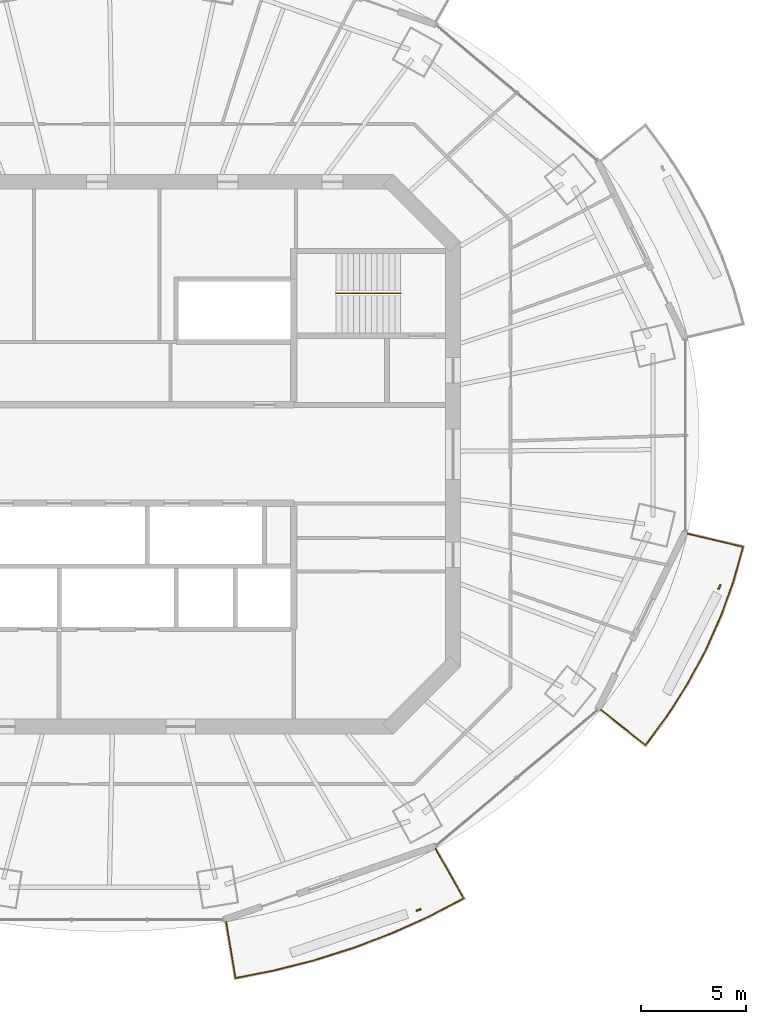
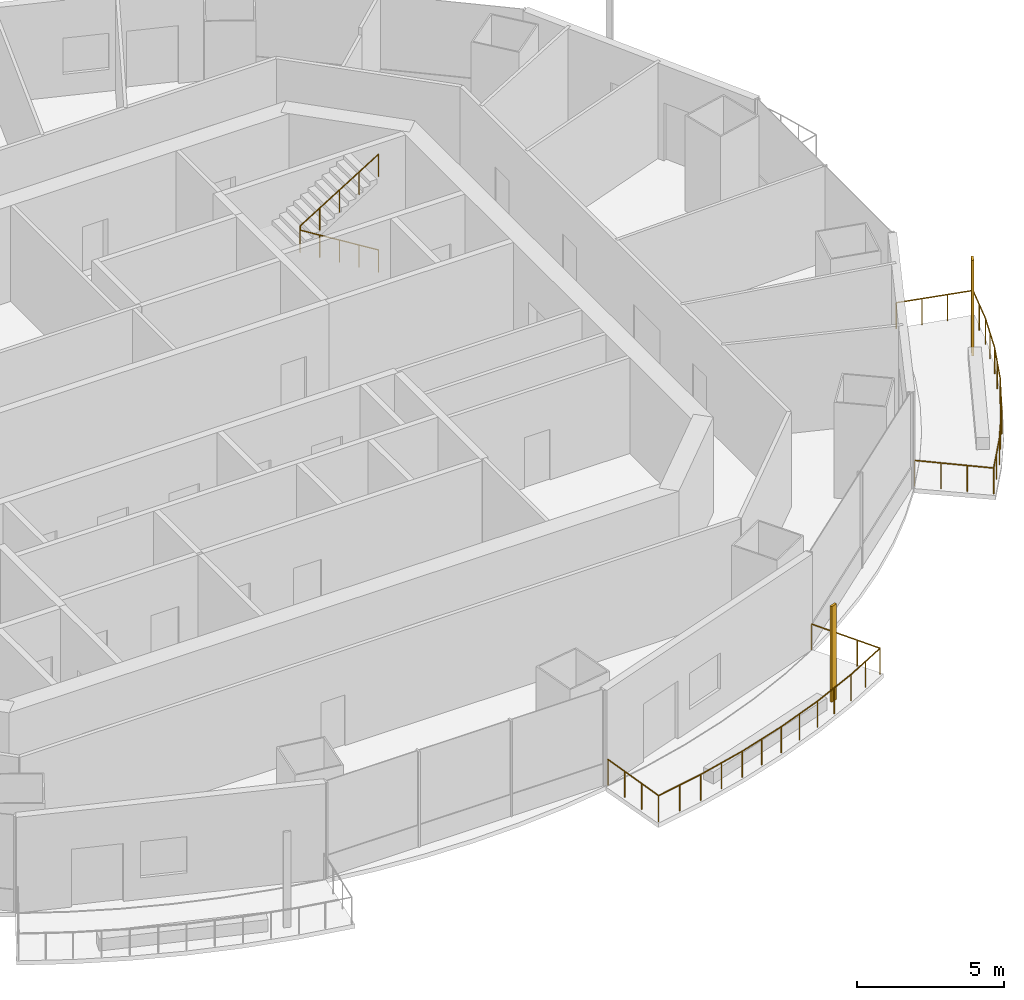
# One storey, part 13 of 16: 3 railings, 2 shading devices.
"""IFC4 building model written with IfcOpenShell, lengths in metres."""

from ifc_helpers import new_model, si_unit, direction, frame, origin, origin_2d, place, context, subcontext, project, spatial, rectangle, circle, extrude, material, material_profile, profile_set, type_object, element, save


model = new_model("IFC4")

# Units and contexts
model_context = context("Model", 3, precision=1e-05, world=origin(), true_north=direction((0.0, 1.0)))
body_context = subcontext(model_context, "Body", "Model", "MODEL_VIEW")
ifc_project = project(units=[si_unit("LENGTHUNIT", "METRE"), si_unit("AREAUNIT", "SQUARE_METRE"), si_unit("VOLUMEUNIT", "CUBIC_METRE"), si_unit("PLANEANGLEUNIT", "RADIAN"), si_unit("MASSUNIT", "GRAM", prefix="KILO")], contexts=[model_context])

# Site, building, storey
site_placement = place(None, origin())
site = spatial("IfcSite", under=ifc_project, at=site_placement, CompositionType="ELEMENT")
building_placement = place(site_placement, origin())
building = spatial("IfcBuilding", under=site, at=building_placement, Name="Marenthal Gate Tower", CompositionType="ELEMENT")
storey_placement = place(building_placement, frame((0.0, 0.0, 317.699951171875)))
storey = spatial("IfcBuildingStorey", under=building, at=storey_placement, Name="L71", CompositionType="ELEMENT", Elevation=317.699951171875)

# Railings
ifc_material_1 = material(Name="Stainless steel", Category="steel")
railing_type_1 = type_object("IfcRailingType", Name="Balcony guard 1100", PredefinedType="GUARDRAIL", material=ifc_material_1)
railing_1_placement = place(storey_placement, frame((15.171875, -18.83837890625, 0.0)))
element("IfcRailing", 1, at=railing_1_placement, inside=storey, type_object=railing_type_1, Name="Balcony guard L71 bay 13", PredefinedType="GUARDRAIL", context=body_context, shape_type="SweptSolid", body=[
    extrude(circle(Radius=0.02392578125, at=origin_2d()), frame((0.0, 0.0, 1.076171875), z_axis=(0.490391346697, -0.871378035337, -0.014718920362), x_axis=(0.871472441229, 0.490444476143, 0.0)), (0.0, 0.0, 1.0), 2.72021484375),
    extrude(circle(Radius=0.02392578125, at=origin_2d()), frame((1.333984375, -2.370361328125, 1.0361328125), z_axis=(-0.88661074156, -0.462516370467, 0.0), x_axis=(0.462516370467, -0.88661074156, 0.0)), (0.0, 0.0, 1.0), 1.84912109375),
    extrude(circle(Radius=0.02392578125, at=origin_2d()), frame((-0.305419921875, -3.2255859375, 1.0361328125), z_axis=(-0.911961495796, -0.410275797709, 0.0), x_axis=(0.410275797709, -0.911961495796, 0.0)), (0.0, 0.0, 1.0), 1.941650390625),
    extrude(circle(Radius=0.02392578125, at=origin_2d()), frame((-2.076171875, -4.022216796875, 1.0361328125), z_axis=(-0.934353071851, -0.3563486174, 0.0), x_axis=(0.3563486174, -0.934353071851, 0.0)), (0.0, 0.0, 1.0), 1.953857421875),
    extrude(circle(Radius=0.02392578125, at=origin_2d()), frame((-3.90185546875, -4.718505859375, 1.0361328125), z_axis=(-0.953336263061, -0.301910532331, 0.0), x_axis=(0.301910532331, -0.953336263061, 0.0)), (0.0, 0.0, 1.0), 1.964111328125),
    extrude(circle(Radius=0.02392578125, at=origin_2d()), frame((-5.7744140625, -5.3115234375, 1.0361328125), z_axis=(-0.968929698625, -0.247336287518, 0.0), x_axis=(0.247336287518, -0.968929698625, 0.0)), (0.0, 0.0, 1.0), 1.97314453125),
    extrude(circle(Radius=0.02392578125, at=origin_2d()), frame((-7.686279296875, -5.799560546875, 1.0361328125), z_axis=(-0.981061826101, -0.193694846002, 0.0), x_axis=(0.193694846002, -0.981061826101, 0.0)), (0.0, 0.0, 1.0), 1.900634765625),
    extrude(circle(Radius=0.02392578125, at=origin_2d()), frame((-9.551025390625, -6.167724609375, 1.0361328125), z_axis=(-0.165225230724, 0.986146026723, 0.014718597414), x_axis=(-0.986252861995, -0.165243130591, 0.0)), (0.0, 0.0, 1.0), 2.72021484375),
    extrude(circle(Radius=0.02099609375, at=origin_2d()), origin(), (0.0, 0.0, 1.0), 1.052001953125),
    extrude(circle(Radius=0.02099609375, at=origin_2d()), frame((0.444580078125, -0.7900390625, -0.013427734375)), (0.0, 0.0, 1.0), 1.052001953125),
    extrude(circle(Radius=0.02099609375, at=origin_2d()), frame((0.889404296875, -1.580322265625, -0.026611328125)), (0.0, 0.0, 1.0), 1.052001953125),
    extrude(circle(Radius=0.02099609375, at=origin_2d()), frame((1.333984375, -2.370361328125, -0.0400390625)), (0.0, 0.0, 1.0), 1.052001953125),
    extrude(circle(Radius=0.02099609375, at=origin_2d()), frame((0.51416015625, -2.7978515625, -0.0400390625)), (0.0, 0.0, 1.0), 1.052001953125),
    extrude(circle(Radius=0.02099609375, at=origin_2d()), frame((-0.305419921875, -3.2255859375, -0.0400390625)), (0.0, 0.0, 1.0), 1.052001953125),
    extrude(circle(Radius=0.02099609375, at=origin_2d()), frame((-1.19091796875, -3.6240234375, -0.0400390625)), (0.0, 0.0, 1.0), 1.052001953125),
    extrude(circle(Radius=0.02099609375, at=origin_2d()), frame((-2.076171875, -4.022216796875, -0.0400390625)), (0.0, 0.0, 1.0), 1.052001953125),
    extrude(circle(Radius=0.02099609375, at=origin_2d()), frame((-2.989013671875, -4.370361328125, -0.0400390625)), (0.0, 0.0, 1.0), 1.052001953125),
    extrude(circle(Radius=0.02099609375, at=origin_2d()), frame((-3.90185546875, -4.718505859375, -0.0400390625)), (0.0, 0.0, 1.0), 1.052001953125),
    extrude(circle(Radius=0.02099609375, at=origin_2d()), frame((-4.838134765625, -5.01513671875, -0.0400390625)), (0.0, 0.0, 1.0), 1.052001953125),
    extrude(circle(Radius=0.02099609375, at=origin_2d()), frame((-5.7744140625, -5.3115234375, -0.0400390625)), (0.0, 0.0, 1.0), 1.052001953125),
    extrude(circle(Radius=0.02099609375, at=origin_2d()), frame((-6.73046875, -5.5556640625, -0.0400390625)), (0.0, 0.0, 1.0), 1.052001953125),
    extrude(circle(Radius=0.02099609375, at=origin_2d()), frame((-7.686279296875, -5.799560546875, -0.0400390625)), (0.0, 0.0, 1.0), 1.052001953125),
    extrude(circle(Radius=0.02099609375, at=origin_2d()), frame((-8.61865234375, -5.983642578125, -0.0400390625)), (0.0, 0.0, 1.0), 1.052001953125),
    extrude(circle(Radius=0.02099609375, at=origin_2d()), frame((-9.551025390625, -6.167724609375, -0.0400390625)), (0.0, 0.0, 1.0), 1.052001953125),
    extrude(circle(Radius=0.02099609375, at=origin_2d()), frame((-9.700927734375, -5.2734375, -0.026611328125)), (0.0, 0.0, 1.0), 1.052001953125),
    extrude(circle(Radius=0.02099609375, at=origin_2d()), frame((-9.8505859375, -4.37939453125, -0.013427734375)), (0.0, 0.0, 1.0), 1.052001953125),
    extrude(circle(Radius=0.02099609375, at=origin_2d()), frame((-10.00048828125, -3.485107421875, 0.0)), (0.0, 0.0, 1.0), 1.052001953125),
])
railing_2_placement = place(storey_placement, frame((27.194580078125, -3.800048828125, 0.0)))
element("IfcRailing", 2, at=railing_2_placement, inside=storey, type_object=railing_type_1, Name="Balcony guard L71 bay 15", PredefinedType="GUARDRAIL", context=body_context, shape_type="SweptSolid", body=[
    extrude(circle(Radius=0.02392578125, at=origin_2d()), frame((0.0, 0.0, 1.076171875), z_axis=(0.973137241572, -0.229754803876, -0.014718667123), x_axis=(0.229779694864, 0.97324266852, 0.0)), (0.0, 0.0, 1.0), 2.72021484375),
    extrude(circle(Radius=0.02392578125, at=origin_2d()), frame((2.647216796875, -0.625, 1.0361328125), z_axis=(-0.268699441424, -0.963224070598, 0.0), x_axis=(0.963224070598, -0.268699441424, 0.0)), (0.0, 0.0, 1.0), 1.693603515625),
    extrude(circle(Radius=0.02392578125, at=origin_2d()), frame((2.192138671875, -2.25634765625, 1.0361328125), z_axis=(-0.339078586837, -0.940758051759, 0.0), x_axis=(0.940758051759, -0.339078586837, 0.0)), (0.0, 0.0, 1.0), 1.78125),
    extrude(circle(Radius=0.02392578125, at=origin_2d()), frame((1.588134765625, -3.93212890625, 1.0361328125), z_axis=(-0.408237493427, -0.91287575768, 0.0), x_axis=(0.91287575768, -0.408237493427, 0.0)), (0.0, 0.0, 1.0), 1.79052734375),
    extrude(circle(Radius=0.02392578125, at=origin_2d()), frame((0.857177734375, -5.566650390625, 1.0361328125), z_axis=(-0.473954337588, -0.880549422736, 0.0), x_axis=(0.880549422736, -0.473954337588, 0.0)), (0.0, 0.0, 1.0), 1.80126953125),
    extrude(circle(Radius=0.02392578125, at=origin_2d()), frame((0.00341796875, -7.15283203125, 1.0361328125), z_axis=(-0.536108654335, -0.844148986108, 0.0), x_axis=(0.844148986108, -0.536108654335, 0.0)), (0.0, 0.0, 1.0), 1.8134765625),
    extrude(circle(Radius=0.02392578125, at=origin_2d()), frame((-0.96875, -8.68359375, 1.0361328125), z_axis=(-0.592955892539, -0.805234940563, 0.0), x_axis=(0.805234940563, -0.592955892539, 0.0)), (0.0, 0.0, 1.0), 1.7470703125),
    extrude(circle(Radius=0.02392578125, at=origin_2d()), frame((-2.004638671875, -10.09033203125, 1.0361328125), z_axis=(-0.783369120747, 0.621382494221, 0.014717898477), x_axis=(-0.621449806018, -0.783453979886, 0.0)), (0.0, 0.0, 1.0), 2.720458984375),
    extrude(circle(Radius=0.02099609375, at=origin_2d()), origin(), (0.0, 0.0, 1.0), 1.052001953125),
    extrude(circle(Radius=0.02099609375, at=origin_2d()), frame((0.88232421875, -0.208251953125, -0.013427734375)), (0.0, 0.0, 1.0), 1.052001953125),
    extrude(circle(Radius=0.02099609375, at=origin_2d()), frame((1.764892578125, -0.416748046875, -0.026611328125)), (0.0, 0.0, 1.0), 1.052001953125),
    extrude(circle(Radius=0.02099609375, at=origin_2d()), frame((2.647216796875, -0.625, -0.0400390625)), (0.0, 0.0, 1.0), 1.052001953125),
    extrude(circle(Radius=0.02099609375, at=origin_2d()), frame((2.419677734375, -1.440673828125, -0.0400390625)), (0.0, 0.0, 1.0), 1.052001953125),
    extrude(circle(Radius=0.02099609375, at=origin_2d()), frame((2.192138671875, -2.25634765625, -0.0400390625)), (0.0, 0.0, 1.0), 1.052001953125),
    extrude(circle(Radius=0.02099609375, at=origin_2d()), frame((1.89013671875, -3.09423828125, -0.0400390625)), (0.0, 0.0, 1.0), 1.052001953125),
    extrude(circle(Radius=0.02099609375, at=origin_2d()), frame((1.588134765625, -3.93212890625, -0.0400390625)), (0.0, 0.0, 1.0), 1.052001953125),
    extrude(circle(Radius=0.02099609375, at=origin_2d()), frame((1.22265625, -4.74951171875, -0.0400390625)), (0.0, 0.0, 1.0), 1.052001953125),
    extrude(circle(Radius=0.02099609375, at=origin_2d()), frame((0.857177734375, -5.566650390625, -0.0400390625)), (0.0, 0.0, 1.0), 1.052001953125),
    extrude(circle(Radius=0.02099609375, at=origin_2d()), frame((0.43017578125, -6.35986328125, -0.0400390625)), (0.0, 0.0, 1.0), 1.052001953125),
    extrude(circle(Radius=0.02099609375, at=origin_2d()), frame((0.00341796875, -7.15283203125, -0.0400390625)), (0.0, 0.0, 1.0), 1.052001953125),
    extrude(circle(Radius=0.02099609375, at=origin_2d()), frame((-0.482666015625, -7.918212890625, -0.0400390625)), (0.0, 0.0, 1.0), 1.052001953125),
    extrude(circle(Radius=0.02099609375, at=origin_2d()), frame((-0.96875, -8.68359375, -0.0400390625)), (0.0, 0.0, 1.0), 1.052001953125),
    extrude(circle(Radius=0.02099609375, at=origin_2d()), frame((-1.48681640625, -9.386962890625, -0.0400390625)), (0.0, 0.0, 1.0), 1.052001953125),
    extrude(circle(Radius=0.02099609375, at=origin_2d()), frame((-2.004638671875, -10.09033203125, -0.0400390625)), (0.0, 0.0, 1.0), 1.052001953125),
    extrude(circle(Radius=0.02099609375, at=origin_2d()), frame((-2.715087890625, -9.52685546875, -0.026611328125)), (0.0, 0.0, 1.0), 1.052001953125),
    extrude(circle(Radius=0.02099609375, at=origin_2d()), frame((-3.42529296875, -8.96337890625, -0.013427734375)), (0.0, 0.0, 1.0), 1.052001953125),
    extrude(circle(Radius=0.02099609375, at=origin_2d()), frame((-4.1357421875, -8.39990234375, 0.0)), (0.0, 0.0, 1.0), 1.052001953125),
])
ifc_material_2 = material(Name="Stainless steel", Category="steel")
railing_type_2 = type_object("IfcRailingType", Name="Stair handrail", PredefinedType="HANDRAIL", material=ifc_material_2)
railing_3_placement = place(storey_placement, frame((13.5, 7.675048828125, 0.1728515625)))
element("IfcRailing", 3, at=railing_3_placement, inside=storey, type_object=railing_type_2, Name="Handrail ST3", PredefinedType="HANDRAIL", context=body_context, shape_type="SweptSolid", body=[
    extrude(circle(Radius=0.0224609375, at=origin_2d()), frame((0.0, 0.0, 0.927490234375), z_axis=(-0.850835241893, 0.0, 0.525432575268), x_axis=(0.0, -1.0, 0.0)), (0.0, 0.0, 1.0), 3.6201171875),
    extrude(circle(Radius=0.0224609375, at=origin_2d()), frame((-3.080078125, 0.0, 2.82958984375), z_axis=(0.0, 0.0, 1.0), x_axis=(1.0, 0.0, 0.0)), (0.0, 0.0, 1.0), 0.173095703125),
    extrude(circle(Radius=0.0224609375, at=origin_2d()), frame((-3.080078125, 0.0, 3.002685546875), z_axis=(0.850835241893, 0.0, 0.525432575268), x_axis=(0.0, 1.0, 0.0)), (0.0, 0.0, 1.0), 3.6201171875),
    extrude(circle(Radius=0.02001953125, at=origin_2d()), origin(), (0.0, 0.0, 1.0), 0.905029296875),
    extrude(circle(Radius=0.02001953125, at=origin_2d()), frame((-0.77001953125, 0.0, 0.4755859375)), (0.0, 0.0, 1.0), 0.905029296875),
    extrude(circle(Radius=0.02001953125, at=origin_2d()), frame((-1.5400390625, 0.0, 0.951171875)), (0.0, 0.0, 1.0), 0.905029296875),
    extrude(circle(Radius=0.02001953125, at=origin_2d()), frame((-2.31005859375, 0.0, 1.426513671875)), (0.0, 0.0, 1.0), 0.905029296875),
    extrude(circle(Radius=0.02001953125, at=origin_2d()), frame((-3.080078125, 0.0, 1.902099609375)), (0.0, 0.0, 1.0), 0.905029296875),
    extrude(circle(Radius=0.02001953125, at=origin_2d()), frame((-3.080078125, 0.0, 2.0751953125)), (0.0, 0.0, 1.0), 0.905029296875),
    extrude(circle(Radius=0.02001953125, at=origin_2d()), frame((-2.31005859375, 0.0, 2.55078125)), (0.0, 0.0, 1.0), 0.905029296875),
    extrude(circle(Radius=0.02001953125, at=origin_2d()), frame((-1.5400390625, 0.0, 3.0263671875)), (0.0, 0.0, 1.0), 0.905029296875),
    extrude(circle(Radius=0.02001953125, at=origin_2d()), frame((-0.77001953125, 0.0, 3.501708984375)), (0.0, 0.0, 1.0), 0.905029296875),
    extrude(circle(Radius=0.02001953125, at=origin_2d()), frame((0.0, 0.0, 3.977294921875)), (0.0, 0.0, 1.0), 0.905029296875),
])

# Shading devices
ifc_material_3 = material(Name="Terracotta", Category="masonry")
ifc_material_profile = material_profile(ifc_material_3, rectangle(XDim=0.25, YDim=0.080078125, at=origin_2d()), Name="Terracotta baguette 250x80")
ifc_profile_set = profile_set([ifc_material_profile], Name="Terracotta")
shading_device_type = type_object("IfcShadingDeviceType", Name="Terracotta BAGUETTE SCREEN 250x80", PredefinedType="USERDEFINED", material=ifc_profile_set)
for number, where, z_axis, x_axis, name in (
    (4, (14.3564453125, -21.756103515625, -0.0400390625), (0.0, 0.0, 1.0), (0.944249095616, 0.329231902203, 0.0), "Terracotta BAGUETTE L71 bay 13R"),
    (5, (28.719970703125, -6.337158203125, -0.0400390625), (0.0, 0.0, 1.0), (0.441517596382, 0.897252591016, 0.0), "Terracotta BAGUETTE L71 bay 15R"),
):
    element("IfcShadingDevice", number, at=place(storey_placement, frame(where, z_axis=z_axis, x_axis=x_axis)), inside=storey, type_object=shading_device_type, Name=name, ObjectType="BAGUETTE SCREEN", PredefinedType="USERDEFINED", context=body_context, shape_type="SweptSolid", body=[
        extrude(rectangle(XDim=0.25, YDim=0.080078125, at=origin_2d()), origin(), (0.0, 0.0, 1.0), 3.969970703125),
    ])

save(model, "model.ifc")
